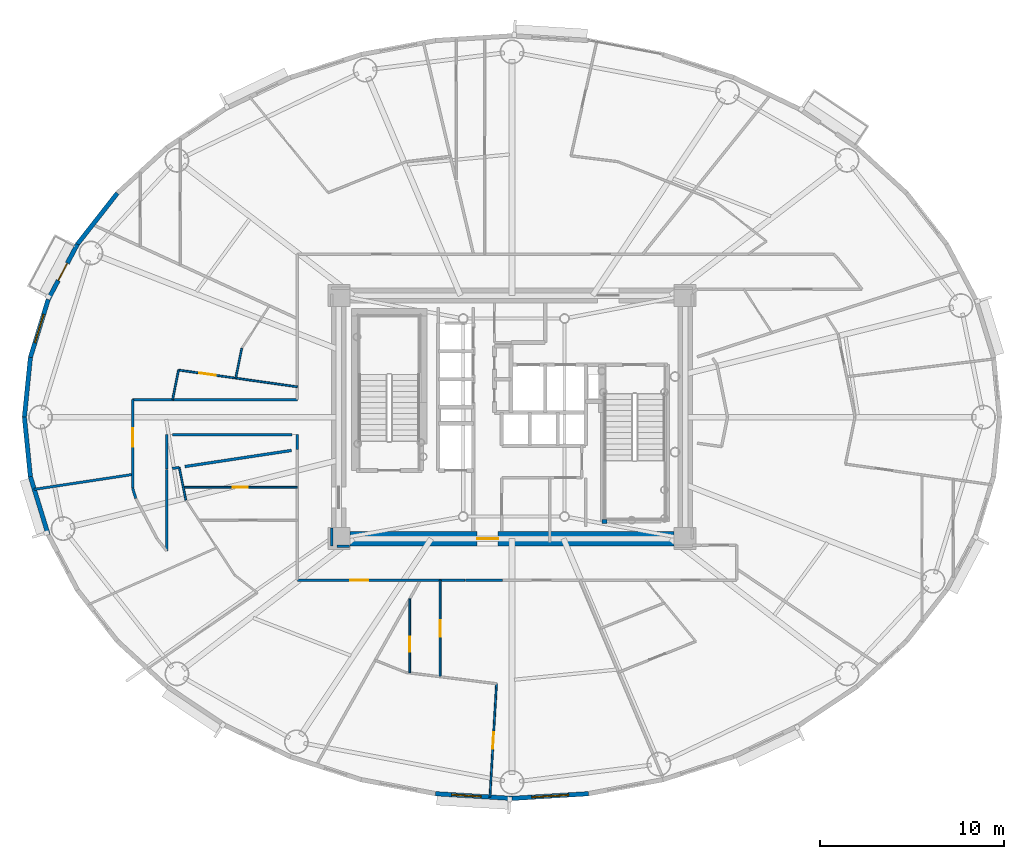
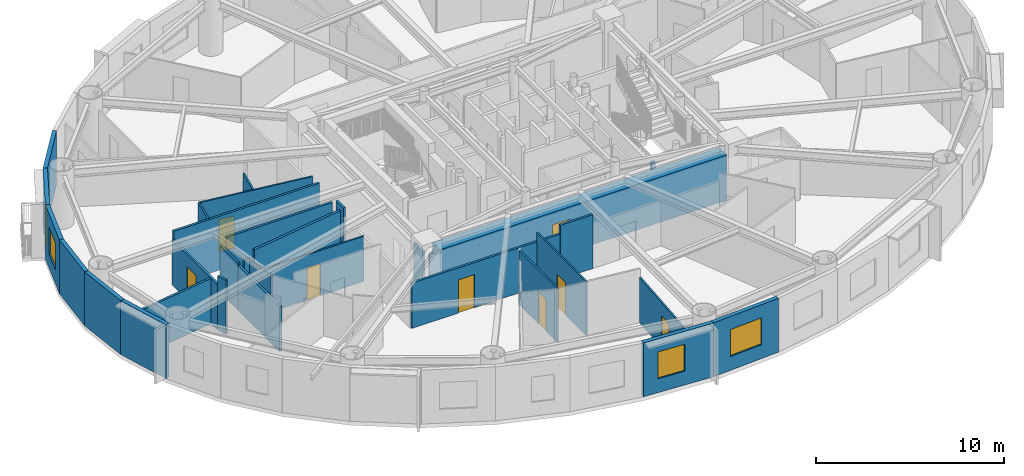
# One storey, part 8 of 20: 32 walls, 9 doors, 3 windows, 12 openings.
"""IFC4 building model written with IfcOpenShell, lengths in metres."""

import ifcopenshell
import ifcopenshell.guid

model = None  # the IFC model being written
_history = None  # IfcOwnerHistory: only IFC2X3 demands one
_inside = {}  # id of a spatial element -> (the spatial element, [elements in it])
_under = {}  # id of a project, library or spatial element -> (it, [spatial elements below it])
_declared = {}  # id of a project -> (the project, [libraries it declares])
_typed = {}  # id of a type object -> (the type object, [elements of that type])
_made_of = {}  # id of a material, layer set ... -> (it, [elements and type objects made of it])


def new_model(schema):
    """Start an empty IFC model of exactly this schema.

    Asked for "IFC4X3", IfcOpenShell would pick the latest addendum, in which some entities
    have other attributes; the version numbers below select the first issue.
    IFC2X3 requires an IfcOwnerHistory on every rooted entity: one is made here for all.
    """
    global model, _history
    if schema == "IFC4X3":
        model = ifcopenshell.file(schema_version=(4, 3, 0, 0))
    else:
        model = ifcopenshell.file(schema=schema)
    _inside.clear()
    _under.clear()
    _declared.clear()
    _typed.clear()
    _made_of.clear()
    _history = None
    if model.schema == "IFC2X3":
        org = make("IfcOrganization", Name="unknown")
        user = make(
            "IfcPersonAndOrganization",
            ThePerson=make("IfcPerson", FamilyName="unknown"),
            TheOrganization=org,
        )
        app = make(
            "IfcApplication",
            ApplicationDeveloper=org,
            Version="unknown",
            ApplicationFullName="unknown",
            ApplicationIdentifier="unknown",
        )
        _history = make(
            "IfcOwnerHistory",
            OwningUser=user,
            OwningApplication=app,
            ChangeAction="ADDED",
            CreationDate=0,
        )
    return model


def make(cls, **values):
    """One entity of the class cls with the attributes given. An attribute that is None is left unset."""
    return model.create_entity(
        cls, **{name: value for name, value in values.items() if value is not None}
    )


def rooted(cls, **values):
    """An entity with a GlobalId (a new one), such as an element, a storey or a relation."""
    return make(cls, GlobalId=ifcopenshell.guid.new(), OwnerHistory=_history, **values)


def si_unit(unit_type, name, prefix=None):
    """IfcSIUnit, for example si_unit("LENGTHUNIT", "METRE", prefix="MILLI")."""
    return make("IfcSIUnit", UnitType=unit_type, Prefix=prefix, Name=name)


def assignment(units):
    """IfcUnitAssignment: the units of a project."""
    return None if units is None else make("IfcUnitAssignment", Units=units)


def point(xyz):
    """IfcCartesianPoint."""
    return None if xyz is None else make("IfcCartesianPoint", Coordinates=xyz)


def direction(xyz):
    """IfcDirection."""
    return None if xyz is None else make("IfcDirection", DirectionRatios=xyz)


def frame(location, z_axis=None, x_axis=None):
    """IfcAxis2Placement3D, a coordinate frame: its origin and axes. An axis left out is left unset."""
    return make(
        "IfcAxis2Placement3D",
        Location=point(location),
        Axis=direction(z_axis),
        RefDirection=direction(x_axis),
    )


def frame_2d(location, x_axis=None):
    """IfcAxis2Placement2D, a coordinate frame in the plane: its origin and x axis."""
    return make(
        "IfcAxis2Placement2D", Location=point(location), RefDirection=direction(x_axis)
    )


def origin():
    """The frame at (0, 0, 0) with its axes left unset."""
    return frame((0.0, 0.0, 0.0))


def origin_2d():
    """The frame at (0, 0) in the plane with its x axis left unset."""
    return frame_2d((0.0, 0.0))


def place(relative_to, where):
    """IfcLocalPlacement: puts the frame where relative to a parent placement (None: the world)."""
    return make(
        "IfcLocalPlacement", PlacementRelTo=relative_to, RelativePlacement=where
    )


def context(
    kind, dimensions, precision=None, world=None, true_north=None, identifier=None
):
    """IfcGeometricRepresentationContext, for example the 3D "Model" context."""
    return make(
        "IfcGeometricRepresentationContext",
        ContextIdentifier=identifier,
        ContextType=kind,
        CoordinateSpaceDimension=dimensions,
        Precision=precision,
        WorldCoordinateSystem=world,
        TrueNorth=true_north,
    )


def subcontext(parent, identifier, kind, view, scale=None):
    """IfcGeometricRepresentationSubContext, for example "Body" below "Model"."""
    return make(
        "IfcGeometricRepresentationSubContext",
        ContextIdentifier=identifier,
        ContextType=kind,
        ParentContext=parent,
        TargetScale=scale,
        TargetView=view,
    )


def project(units=None, contexts=None):
    """IfcProject with its units and contexts."""
    return rooted(
        "IfcProject",
        Name="project",
        RepresentationContexts=contexts,
        UnitsInContext=assignment(units),
    )


def spatial(cls, under=None, at=None, **own):
    """A site, building, storey or space (cls), placed at a placement, below another one or the project."""
    s = rooted(cls, ObjectPlacement=at, **own)
    if under is not None:
        _under.setdefault(under.id(), (under, []))[1].append(s)
    return s


def profile(cls, at=None, kind="AREA", **sizes):
    """A parametric profile (cls). Its sizes go by their IFC names, for example OverallWidth=200.0."""
    return make(cls, ProfileType=kind, Position=at, **sizes)


def rectangle(**sizes):
    """IfcRectangleProfileDef."""
    return profile("IfcRectangleProfileDef", **sizes)


def extrude(swept, where, along, depth):
    """IfcExtrudedAreaSolid: the profile swept, set in the frame where, extruded along a direction by depth."""
    return make(
        "IfcExtrudedAreaSolid",
        SweptArea=swept,
        Position=where,
        ExtrudedDirection=direction(along),
        Depth=depth,
    )


def shape(context_of_items, identifier, shape_type, items):
    """IfcShapeRepresentation: the items that make up one representation, for example the "Body"."""
    return make(
        "IfcShapeRepresentation",
        ContextOfItems=context_of_items,
        RepresentationIdentifier=identifier,
        RepresentationType=shape_type,
        Items=items,
    )


def source(mapping_origin, context_of_items, identifier, shape_type, items):
    """IfcRepresentationMap: a shape defined once, which mapped items show again and again."""
    return make(
        "IfcRepresentationMap",
        MappingOrigin=mapping_origin,
        MappedRepresentation=shape(context_of_items, identifier, shape_type, items),
    )


def transform(
    local_origin,
    x_axis=None,
    y_axis=None,
    z_axis=None,
    scale=None,
    scale2=None,
    scale3=None,
    uniform=True,
):
    """IfcCartesianTransformationOperator3D, or its non-uniform kind. x_axis, y_axis, z_axis: its Axis1, 2, 3."""
    if uniform:
        return make(
            "IfcCartesianTransformationOperator3D",
            Axis1=direction(x_axis),
            Axis2=direction(y_axis),
            LocalOrigin=point(local_origin),
            Scale=scale,
            Axis3=direction(z_axis),
        )
    return make(
        "IfcCartesianTransformationOperator3DnonUniform",
        Axis1=direction(x_axis),
        Axis2=direction(y_axis),
        LocalOrigin=point(local_origin),
        Scale=scale,
        Axis3=direction(z_axis),
        Scale2=scale2,
        Scale3=scale3,
    )


def mapped(mapping_source, mapping_target):
    """IfcMappedItem: shows the shape of a source again, moved by a transform."""
    return make(
        "IfcMappedItem", MappingSource=mapping_source, MappingTarget=mapping_target
    )


def material(Name=None, Category=None):
    """IfcMaterial."""
    return make("IfcMaterial", Name=Name, Category=Category)


def layer(
    of_material, thickness, ventilated=None, Name=None, Category=None, Priority=None
):
    """IfcMaterialLayer: one layer of a wall or slab, of a material (None: an air gap)."""
    return make(
        "IfcMaterialLayer",
        Material=of_material,
        LayerThickness=thickness,
        IsVentilated=ventilated,
        Name=Name,
        Category=Category,
        Priority=Priority,
    )


def layer_set(layers, Name=None):
    """IfcMaterialLayerSet."""
    return make("IfcMaterialLayerSet", MaterialLayers=layers, LayerSetName=Name)


def made_of(thing, what):
    """Note that an element or type object is made of a material, layer set ...; save() writes the relation."""
    if what is not None:
        _made_of.setdefault(what.id(), (what, []))[1].append(thing)
    return thing


def type_object(cls, material=None, **own):
    """A type object (cls), such as IfcWallType, which elements share."""
    return made_of(rooted(cls, **own), material)


def element(
    cls,
    number,
    at=None,
    inside=None,
    cuts=None,
    type_object=None,
    material=None,
    context=None,
    identifier="Body",
    shape_type=None,
    held_by="IfcProductDefinitionShape",
    body=None,
    shapes=None,
    **own,
):
    """One element of the class cls, such as IfcWall. Its Tag is "e" and its number.

    at: its placement. inside: the storey or other place that contains it. cuts: it is an
    opening in that element (IfcRelVoidsElement). A single representation is given by context,
    identifier, shape_type and body (its items); several are given by shapes. held_by: the class
    of the entity that holds the representations. save() writes the other relations.
    """
    e = rooted(cls, Tag="e%d" % number, ObjectPlacement=at, **own)
    if body is not None:
        shapes = [shape(context, identifier, shape_type, body)]
    if shapes is not None:
        e.Representation = make(held_by, Representations=shapes)
    if inside is not None:
        _inside.setdefault(inside.id(), (inside, []))[1].append(e)
    if cuts is not None:
        rooted(
            "IfcRelVoidsElement", RelatingBuildingElement=cuts, RelatedOpeningElement=e
        )
    if type_object is not None:
        _typed.setdefault(type_object.id(), (type_object, []))[1].append(e)
    return made_of(e, material)


def fill(opening, filler):
    """IfcRelFillsElement: the door or window that sits in an opening."""
    return rooted(
        "IfcRelFillsElement",
        RelatingOpeningElement=opening,
        RelatedBuildingElement=filler,
    )


def aggregate(whole, parts):
    """IfcRelAggregates: a whole, such as a stair, and the parts it consists of."""
    return rooted("IfcRelAggregates", RelatingObject=whole, RelatedObjects=parts)


def save(model, path):
    """Write the relations noted so far, then the file.

    IfcRelAggregates (storeys below a building ...), IfcRelContainedInSpatialStructure (elements
    in a storey), IfcRelDefinesByType, IfcRelAssociatesMaterial and IfcRelDeclares: one each for
    every whole, place, type object, material and project.
    """
    for whole, parts in _under.values():
        aggregate(whole, parts)
    for where, things in _inside.values():
        rooted(
            "IfcRelContainedInSpatialStructure",
            RelatedElements=things,
            RelatingStructure=where,
        )
    for kind, things in _typed.values():
        rooted("IfcRelDefinesByType", RelatedObjects=things, RelatingType=kind)
    for what, things in _made_of.values():
        rooted("IfcRelAssociatesMaterial", RelatedObjects=things, RelatingMaterial=what)
    for by, libraries in _declared.values():
        rooted("IfcRelDeclares", RelatingContext=by, RelatedDefinitions=libraries)
    model.write(path)


model = new_model("IFC4")

# Units and contexts
model_context = context("Model", 3, precision=1e-05, world=origin(), true_north=direction((0.0, 1.0)))
body_context = subcontext(model_context, "Body", "Model", "MODEL_VIEW")
ifc_project = project(units=[si_unit("LENGTHUNIT", "METRE"), si_unit("AREAUNIT", "SQUARE_METRE"), si_unit("VOLUMEUNIT", "CUBIC_METRE"), si_unit("PLANEANGLEUNIT", "RADIAN"), si_unit("MASSUNIT", "GRAM", prefix="KILO")], contexts=[model_context])

# Site, building, storey
site_placement = place(None, origin())
site = spatial("IfcSite", under=ifc_project, at=site_placement, CompositionType="ELEMENT")
building_placement = place(site_placement, origin())
building = spatial("IfcBuilding", under=site, at=building_placement, Name="Linh Dai School and Residence Tower", CompositionType="ELEMENT")
storey_placement = place(building_placement, frame((0.0, 0.0, 163.64990234375)))
storey = spatial("IfcBuildingStorey", under=building, at=storey_placement, Name="L39", CompositionType="ELEMENT", Elevation=163.64990234375)

# Wall
ifc_material_1 = material(Name="Precast Concrete B45 (C35/45)", Category="concrete")
ifc_layer_1 = layer(ifc_material_1, 0.239990234375)
ifc_layer_set_1 = layer_set([ifc_layer_1], Name="Precast Concrete B45 (C35/45)")
wall_type_1 = type_object("IfcWallType", Name="EW-TC-240", PredefinedType="SOLIDWALL", material=ifc_layer_set_1)
wall_1_placement = place(storey_placement, frame((12.404052734375, 36.388427734375, 0.0), z_axis=(0.0, 0.0, 1.0), x_axis=(0.616287674549, 0.787521112224, 0.0)))
element("IfcWall", 1, at=wall_1_placement, inside=storey, type_object=wall_type_1, Name="L39 Terracotta Exterior Wall 17", PredefinedType="SOLIDWALL", context=body_context, shape_type="SweptSolid", body=[
    extrude(rectangle(XDim=3.517333984375, YDim=0.239990234375, at=frame_2d((1.7587890625, 0.0))), origin(), (0.0, 0.0, 1.0), 3.5),
])

# Wall, opening, door
wall_2_placement = place(storey_placement, frame((10.8173828125, 33.388916015625, 0.0), z_axis=(0.0, 0.0, 1.0), x_axis=(0.467586874938, 0.88394712194, 0.0)))
wall_2 = element("IfcWall", 2, at=wall_2_placement, inside=storey, type_object=wall_type_1, Name="L39 Terracotta Exterior Wall 18", PredefinedType="SOLIDWALL", context=body_context, shape_type="SweptSolid", body=[
    extrude(rectangle(XDim=3.393310546875, YDim=0.239990234375, at=frame_2d((1.69677734375, 0.0))), origin(), (0.0, 0.0, 1.0), 3.5),
])
opening_1_placement = place(wall_2_placement, frame((1.171630859375, 0.0, 0.0)))
opening_1 = element("IfcOpeningElement", 3, at=opening_1_placement, cuts=wall_2, Name="Opening BD1", PredefinedType="OPENING", context=body_context, shape_type="SweptSolid", body=[
    extrude(rectangle(XDim=1.050048828125, YDim=2.14990234375, at=origin_2d()), frame((0.52490234375, 0.1298828125, 1.074951171875), z_axis=(0.0, -1.0, 0.0), x_axis=(1.0, 0.0, 0.0)), (0.0, 0.0, 1.0), 0.260009765625),
])
ifc_material_2 = material(Name="Double-Glazed Balcony Door", Category="glass")
door_type_1 = type_object("IfcDoorType", Name="DR-BALC-1050x2150", OperationType="NOTDEFINED", PredefinedType="DOOR", material=ifc_material_2)
shared_shape_1 = source(origin(), body_context, "Body", "SweptSolid", [
    extrude(rectangle(XDim=1.050048828125, YDim=2.14990234375, at=origin_2d()), frame((0.52490234375, 0.02490234375, 1.074951171875), z_axis=(0.0, -1.0, 0.0), x_axis=(1.0, 0.0, 0.0)), (0.0, 0.0, 1.0), 0.050048828125),
])
door_1_placement = place(opening_1_placement, origin())
door_1 = element("IfcDoor", 4, at=door_1_placement, inside=storey, type_object=door_type_1, Name="L39 Glazed Balcony Door 18", OperationType="SINGLE_SWING_RIGHT", OverallHeight=2.14990234375, OverallWidth=1.050048828125, PredefinedType="DOOR", context=body_context, shape_type="MappedRepresentation", body=[
    mapped(shared_shape_1, transform((0.0, 0.0, 0.0), x_axis=(1.0, 0.0, 0.0), y_axis=(0.0, 1.0, 0.0), z_axis=(0.0, 0.0, 1.0), scale=1.0)),
])
fill(opening_1, door_1)

# Wall, opening, window
wall_3_placement = place(storey_placement, frame((9.85009765625, 30.233642578125, 0.0), z_axis=(0.0, 0.0, 1.0), x_axis=(0.293097995113, 0.956082405058, 0.0)))
wall_3 = element("IfcWall", 5, at=wall_3_placement, inside=storey, type_object=wall_type_1, Name="L39 Terracotta Exterior Wall 19", PredefinedType="SOLIDWALL", context=body_context, shape_type="SweptSolid", body=[
    extrude(rectangle(XDim=3.30029296875, YDim=0.239990234375, at=frame_2d((1.650146484375, 0.0))), origin(), (0.0, 0.0, 1.0), 3.5),
])
opening_2_placement = place(wall_3_placement, frame((0.85009765625, 0.0, 0.89990234375)))
opening_2 = element("IfcOpeningElement", 6, at=opening_2_placement, cuts=wall_3, Name="Opening W2", PredefinedType="OPENING", context=body_context, shape_type="SweptSolid", body=[
    extrude(rectangle(XDim=1.60009765625, YDim=1.75, at=origin_2d()), frame((0.800048828125, 0.1298828125, 0.875), z_axis=(0.0, -1.0, 0.0), x_axis=(1.0, 0.0, 0.0)), (0.0, 0.0, 1.0), 0.260009765625),
])
ifc_material_3 = material(Name="Double Low-E Insulated Glazing", Category="glass")
window_type_1 = type_object("IfcWindowType", Name="WN-RES-1600x1750", PartitioningType="DOUBLE_PANEL_VERTICAL", PredefinedType="WINDOW", material=ifc_material_3)
shared_shape_2 = source(origin(), body_context, "Body", "SweptSolid", [
    extrude(rectangle(XDim=1.60009765625, YDim=1.75, at=origin_2d()), frame((0.800048828125, 0.030029296875, 0.875), z_axis=(0.0, -1.0, 0.0), x_axis=(1.0, 0.0, 0.0)), (0.0, 0.0, 1.0), 0.06005859375),
])
window_1_placement = place(opening_2_placement, origin())
window_1 = element("IfcWindow", 7, at=window_1_placement, inside=storey, type_object=window_type_1, Name="L39 Exterior Window 19.1", OverallHeight=1.75, OverallWidth=1.60009765625, PartitioningType="DOUBLE_PANEL_VERTICAL", PredefinedType="WINDOW", context=body_context, shape_type="MappedRepresentation", body=[
    mapped(shared_shape_2, transform((0.0, 0.0, 0.0), x_axis=(1.0, 0.0, 0.0), y_axis=(0.0, 1.0, 0.0), z_axis=(0.0, 0.0, 1.0), scale=1.0)),
])
fill(opening_2, window_1)

# Walls
for number, where, z_axis, x_axis, name in (
    (8, (9.52490234375, 27.0, 0.0), (0.0, 0.0, 1.0), (0.100061534614, 0.994981250723, 0.0), "L39 Terracotta Exterior Wall 20"),
    (9, (9.85009765625, 23.766357421875, 0.0), (0.0, 0.0, 1.0), (-0.100061534614, 0.994981250723, 0.0), "L39 Terracotta Exterior Wall 21"),
):
    element("IfcWall", number, at=place(storey_placement, frame(where, z_axis=z_axis, x_axis=x_axis)), inside=storey, type_object=wall_type_1, Name=name, PredefinedType="SOLIDWALL", context=body_context, shape_type="SweptSolid", body=[
        extrude(rectangle(XDim=3.25, YDim=0.239990234375, at=frame_2d((1.625, 0.0))), origin(), (0.0, 0.0, 1.0), 3.5),
    ])
wall_4_placement = place(storey_placement, frame((10.8173828125, 20.611083984375, 0.0), z_axis=(0.0, 0.0, 1.0), x_axis=(-0.293097995113, 0.956082405058, 0.0)))
element("IfcWall", 10, at=wall_4_placement, inside=storey, type_object=wall_type_1, Name="L39 Terracotta Exterior Wall 22", PredefinedType="SOLIDWALL", context=body_context, shape_type="SweptSolid", body=[
    extrude(rectangle(XDim=3.30029296875, YDim=0.239990234375, at=frame_2d((1.650146484375, 0.0))), origin(), (0.0, 0.0, 1.0), 3.5),
])

# Wall, opening, window
wall_5_placement = place(storey_placement, frame((36.0, 6.294921875, 0.0), z_axis=(0.0, 0.0, 1.0), x_axis=(-0.998104600619, 0.061540281305, 0.0)))
wall_5 = element("IfcWall", 11, at=wall_5_placement, inside=storey, type_object=wall_type_1, Name="L39 Terracotta Exterior Wall 30", PredefinedType="SOLIDWALL", context=body_context, shape_type="SweptSolid", body=[
    extrude(rectangle(XDim=4.153564453125, YDim=0.239990234375, at=frame_2d((2.07666015625, 0.0))), origin(), (0.0, 0.0, 1.0), 3.5),
])
opening_3_placement = place(wall_5_placement, frame((1.68359375, 0.0, 0.89990234375)))
opening_3 = element("IfcOpeningElement", 12, at=opening_3_placement, cuts=wall_5, Name="Opening W2", PredefinedType="OPENING", context=body_context, shape_type="SweptSolid", body=[
    extrude(rectangle(XDim=1.60009765625, YDim=1.75, at=origin_2d()), frame((0.800048828125, 0.1298828125, 0.875), z_axis=(0.0, -1.0, 0.0), x_axis=(1.0, 0.0, 0.0)), (0.0, 0.0, 1.0), 0.260009765625),
])
window_2_placement = place(opening_3_placement, origin())
window_2 = element("IfcWindow", 13, at=window_2_placement, inside=storey, type_object=window_type_1, Name="L39 Exterior Window 30.1", OverallHeight=1.75, OverallWidth=1.60009765625, PartitioningType="DOUBLE_PANEL_VERTICAL", PredefinedType="WINDOW", context=body_context, shape_type="MappedRepresentation", body=[
    mapped(shared_shape_2, transform((0.0, 0.0, 0.0), x_axis=(1.0, 0.0, 0.0), y_axis=(0.0, 1.0, 0.0), z_axis=(0.0, 0.0, 1.0), scale=1.0)),
])
fill(opening_3, window_2)

wall_6_placement = place(storey_placement, frame((40.145751953125, 6.550537109375, 0.0), z_axis=(0.0, 0.0, 1.0), x_axis=(-0.998104600619, -0.061540281305, 0.0)))
wall_6 = element("IfcWall", 14, at=wall_6_placement, inside=storey, type_object=wall_type_1, Name="L39 Terracotta Exterior Wall 31", PredefinedType="SOLIDWALL", context=body_context, shape_type="SweptSolid", body=[
    extrude(rectangle(XDim=4.153564453125, YDim=0.239990234375, at=frame_2d((2.07666015625, 0.0))), origin(), (0.0, 0.0, 1.0), 3.5),
])
opening_4_placement = place(wall_6_placement, frame((1.076904296875, 0.0, 0.89990234375)))
opening_4 = element("IfcOpeningElement", 15, at=opening_4_placement, cuts=wall_6, Name="Opening W1", PredefinedType="OPENING", context=body_context, shape_type="SweptSolid", body=[
    extrude(rectangle(XDim=2.0, YDim=1.75, at=origin_2d()), frame((1.0, 0.1298828125, 0.875), z_axis=(0.0, -1.0, 0.0), x_axis=(1.0, 0.0, 0.0)), (0.0, 0.0, 1.0), 0.260009765625),
])
window_type_2 = type_object("IfcWindowType", Name="WN-RES-2000x1750", PartitioningType="DOUBLE_PANEL_VERTICAL", PredefinedType="WINDOW", material=ifc_material_3)
shared_shape_3 = source(origin(), body_context, "Body", "SweptSolid", [
    extrude(rectangle(XDim=2.0, YDim=1.75, at=origin_2d()), frame((1.0, 0.030029296875, 0.875), z_axis=(0.0, -1.0, 0.0), x_axis=(1.0, 0.0, 0.0)), (0.0, 0.0, 1.0), 0.06005859375),
])
window_3_placement = place(opening_4_placement, origin())
window_3 = element("IfcWindow", 16, at=window_3_placement, inside=storey, type_object=window_type_2, Name="L39 Exterior Window 31.1", OverallHeight=1.75, OverallWidth=2.0, PartitioningType="DOUBLE_PANEL_VERTICAL", PredefinedType="WINDOW", context=body_context, shape_type="MappedRepresentation", body=[
    mapped(shared_shape_3, transform((0.0, 0.0, 0.0), x_axis=(1.0, 0.0, 0.0), y_axis=(0.0, 1.0, 0.0), z_axis=(0.0, 0.0, 1.0), scale=1.0)),
])
fill(opening_4, window_3)

# Wall
ifc_material_4 = material(Name="Autoclaved Aerated Concrete Blockwork", Category="masonry")
ifc_layer_2 = layer(ifc_material_4, 0.135009765625)
ifc_layer_set_2 = layer_set([ifc_layer_2], Name="Autoclaved Aerated Concrete Blockwork")
wall_type_2 = type_object("IfcWallType", Name="IW-CORR-135-EI90", PredefinedType="PARTITIONING", material=ifc_layer_set_2)
wall_7_placement = place(storey_placement, frame((10.056640625, 23.075439453125, 0.0), z_axis=(0.0, 0.0, 1.0), x_axis=(0.988756022356, 0.14953771516, 0.0)))
element("IfcWall", 17, at=wall_7_placement, inside=storey, type_object=wall_type_2, Name="L39 Interior Partition Wall 001", PredefinedType="PARTITIONING", context=body_context, shape_type="SweptSolid", body=[
    extrude(rectangle(XDim=5.404052734375, YDim=0.135009765625, at=frame_2d((2.7021484375, 0.0))), origin(), (0.0, 0.0, 1.0), 2.93505859375),
])

# Wall, opening, door
wall_8_placement = place(storey_placement, frame((15.39990234375, 23.14599609375, 0.0), z_axis=(0.0, 0.0, 1.0), x_axis=(0.0, 1.0, 0.0)))
wall_8 = element("IfcWall", 18, at=wall_8_placement, inside=storey, type_object=wall_type_2, Name="L39 Interior Partition Wall 004", PredefinedType="PARTITIONING", context=body_context, shape_type="SweptSolid", body=[
    extrude(rectangle(XDim=4.803955078125, YDim=0.135009765625, at=frame_2d((2.40185546875, 0.0))), origin(), (0.0, 0.0, 1.0), 2.93505859375),
])
opening_5_placement = place(wall_8_placement, frame((2.250732421875, 0.0, 0.0)))
opening_5 = element("IfcOpeningElement", 19, at=opening_5_placement, cuts=wall_8, Name="Opening D03", PredefinedType="OPENING", context=body_context, shape_type="SweptSolid", body=[
    extrude(rectangle(XDim=1.0, YDim=2.14990234375, at=origin_2d()), frame((0.5, 0.07763671875, 1.074951171875), z_axis=(0.0, -1.0, 0.0), x_axis=(1.0, 0.0, 0.0)), (0.0, 0.0, 1.0), 0.155029296875),
])
ifc_material_5 = material(Name="Fire-Rated Solid Timber Entrance Door", Category="wood")
door_type_2 = type_object("IfcDoorType", Name="DR-FLAT-1000x2150-FD60S", OperationType="NOTDEFINED", PredefinedType="DOOR", material=ifc_material_5)
shared_shape_4 = source(origin(), body_context, "Body", "SweptSolid", [
    extrude(rectangle(XDim=1.0, YDim=2.14990234375, at=origin_2d()), frame((0.5, 0.02490234375, 1.074951171875), z_axis=(0.0, -1.0, 0.0), x_axis=(1.0, 0.0, 0.0)), (0.0, 0.0, 1.0), 0.050048828125),
])
door_2_placement = place(opening_5_placement, origin())
door_2 = element("IfcDoor", 20, at=door_2_placement, inside=storey, type_object=door_type_2, Name="L39 U3904 Apartment Entrance Door", OperationType="SINGLE_SWING_LEFT", OverallHeight=2.14990234375, OverallWidth=1.0, PredefinedType="DOOR", context=body_context, shape_type="MappedRepresentation", body=[
    mapped(shared_shape_4, transform((0.0, 0.0, 0.0), x_axis=(1.0, 0.0, 0.0), y_axis=(0.0, 1.0, 0.0), z_axis=(0.0, 0.0, 1.0), scale=1.0)),
])
fill(opening_5, door_2)

# Walls
wall_9_placement = place(storey_placement, frame((15.39990234375, 23.14599609375, 0.0), z_axis=(0.0, 0.0, 1.0), x_axis=(0.293335154151, -0.956009669061, 0.0)))
element("IfcWall", 21, at=wall_9_placement, inside=storey, type_object=wall_type_2, Name="L39 Interior Partition Wall 005", PredefinedType="PARTITIONING", context=body_context, shape_type="SweptSolid", body=[
    extrude(rectangle(XDim=0.59423828125, YDim=0.135009765625, at=frame_2d((0.297119140625, 0.0))), origin(), (0.0, 0.0, 1.0), 3.5),
])
wall_10_placement = place(storey_placement, frame((15.39990234375, 27.949951171875, 0.0), z_axis=(0.0, 0.0, 1.0), x_axis=(1.0, 0.0, 0.0)))
element("IfcWall", 22, at=wall_10_placement, inside=storey, type_object=wall_type_2, Name="L39 Interior Partition Wall 006", PredefinedType="PARTITIONING", context=body_context, shape_type="SweptSolid", body=[
    extrude(rectangle(XDim=8.9501953125, YDim=0.135009765625, at=frame_2d((4.47509765625, 0.0))), origin(), (0.0, 0.0, 1.0), 3.5),
])
wall_11_placement = place(storey_placement, frame((17.25, 19.734375, 0.0), z_axis=(0.0, 0.0, 1.0), x_axis=(0.0, 1.0, 0.0)))
element("IfcWall", 23, at=wall_11_placement, inside=storey, type_object=wall_type_2, Name="L39 Interior Partition Wall 011", PredefinedType="PARTITIONING", context=body_context, shape_type="SweptSolid", body=[
    extrude(rectangle(XDim=4.42919921875, YDim=0.135009765625, at=frame_2d((2.214599609375, 0.0))), origin(), (0.0, 0.0, 1.0), 2.93505859375),
])

# Wall, opening, door
wall_12_placement = place(storey_placement, frame((24.35009765625, 18.14990234375, 0.0), z_axis=(0.0, 0.0, 1.0), x_axis=(1.0, 0.0, 0.0)))
wall_12 = element("IfcWall", 24, at=wall_12_placement, inside=storey, type_object=wall_type_2, Name="L39 Interior Partition Wall 024", PredefinedType="PARTITIONING", context=body_context, shape_type="SweptSolid", body=[
    extrude(rectangle(XDim=9.108642578125, YDim=0.135009765625, at=frame_2d((4.55419921875, 0.0))), origin(), (0.0, 0.0, 1.0), 2.93505859375),
])
opening_6_placement = place(wall_12_placement, frame((2.856689453125, 0.0, 0.0)))
opening_6 = element("IfcOpeningElement", 25, at=opening_6_placement, cuts=wall_12, Name="Opening D03", PredefinedType="OPENING", context=body_context, shape_type="SweptSolid", body=[
    extrude(rectangle(XDim=1.0, YDim=2.14990234375, at=origin_2d()), frame((0.5, 0.07763671875, 1.074951171875), z_axis=(0.0, -1.0, 0.0), x_axis=(1.0, 0.0, 0.0)), (0.0, 0.0, 1.0), 0.155029296875),
])
door_3_placement = place(opening_6_placement, origin())
door_3 = element("IfcDoor", 26, at=door_3_placement, inside=storey, type_object=door_type_2, Name="L39 U3905 Apartment Entrance Door", OperationType="SINGLE_SWING_RIGHT", OverallHeight=2.14990234375, OverallWidth=1.0, PredefinedType="DOOR", context=body_context, shape_type="MappedRepresentation", body=[
    mapped(shared_shape_4, transform((0.0, 0.0, 0.0), x_axis=(1.0, 0.0, 0.0), y_axis=(0.0, 1.0, 0.0), z_axis=(0.0, 0.0, 1.0), scale=1.0)),
])
fill(opening_6, door_3)

# Walls
wall_13_placement = place(storey_placement, frame((17.25, 26.050048828125, 0.0), z_axis=(0.0, 0.0, 1.0), x_axis=(0.0, -1.0, 0.0)))
element("IfcWall", 27, at=wall_13_placement, inside=storey, type_object=wall_type_2, Name="L39 Interior Partition Wall 103", PredefinedType="PARTITIONING", context=body_context, shape_type="SweptSolid", body=[
    extrude(rectangle(XDim=1.87646484375, YDim=0.135009765625, at=frame_2d((0.938232421875, 0.0))), origin(), (0.0, 0.0, 1.0), 3.085205078125),
])
wall_14_placement = place(storey_placement, frame((26.199951171875, 20.989990234375, 0.0), z_axis=(0.0, 0.0, 1.0), x_axis=(0.0, -1.0, 0.0)))
element("IfcWall", 28, at=wall_14_placement, inside=storey, type_object=wall_type_2, Name="L39 Interior Partition Wall 107", PredefinedType="PARTITIONING", context=body_context, shape_type="SweptSolid", body=[
    extrude(rectangle(XDim=0.989990234375, YDim=0.135009765625, at=frame_2d((0.4951171875, 0.0))), origin(), (0.0, 0.0, 1.0), 3.18505859375),
])
wall_15_placement = place(storey_placement, frame((26.507568359375, 20.0, 0.0), z_axis=(0.0, 0.0, 1.0), x_axis=(1.0, 0.0, 0.0)))
element("IfcWall", 29, at=wall_15_placement, inside=storey, type_object=wall_type_2, Name="L39 Interior Partition Wall 108", PredefinedType="PARTITIONING", context=body_context, shape_type="SweptSolid", body=[
    extrude(rectangle(XDim=0.682373046875, YDim=0.135009765625, at=frame_2d((0.34130859375, 0.0))), origin(), (0.0, 0.0, 1.0), 2.93505859375),
])
wall_16_placement = place(storey_placement, frame((35.475830078125, 18.14990234375, 0.0), z_axis=(0.0, 0.0, 1.0), x_axis=(-1.0, 0.0, 0.0)))
element("IfcWall", 30, at=wall_16_placement, inside=storey, type_object=wall_type_2, Name="L39 Interior Partition Wall 111", PredefinedType="PARTITIONING", context=body_context, shape_type="SweptSolid", body=[
    extrude(rectangle(XDim=2.007080078125, YDim=0.135009765625, at=frame_2d((1.00341796875, 0.0))), origin(), (0.0, 0.0, 1.0), 3.5),
])
wall_17_placement = place(storey_placement, frame((24.35009765625, 25.24755859375, 0.0), z_axis=(0.0, 0.0, 1.0), x_axis=(0.0, 1.0, 0.0)))
element("IfcWall", 31, at=wall_17_placement, inside=storey, type_object=wall_type_2, Name="L39 Interior Partition Wall 112", PredefinedType="PARTITIONING", context=body_context, shape_type="SweptSolid", body=[
    extrude(rectangle(XDim=0.802490234375, YDim=0.135009765625, at=frame_2d((0.4013671875, 0.0))), origin(), (0.0, 0.0, 1.0), 3.5),
])
wall_18_placement = place(storey_placement, frame((24.04248046875, 26.050048828125, 0.0), z_axis=(0.0, 0.0, 1.0), x_axis=(-1.0, 0.0, 0.0)))
element("IfcWall", 32, at=wall_18_placement, inside=storey, type_object=wall_type_2, Name="L39 Interior Partition Wall 113", PredefinedType="PARTITIONING", context=body_context, shape_type="SweptSolid", body=[
    extrude(rectangle(XDim=6.48486328125, YDim=0.135009765625, at=frame_2d((3.242431640625, 0.0))), origin(), (0.0, 0.0, 1.0), 3.5),
])
wall_19_placement = place(storey_placement, frame((17.5576171875, 24.2099609375, 0.0), z_axis=(0.0, 0.0, 1.0), x_axis=(0.988703952477, 0.149881601124, 0.0)))
element("IfcWall", 33, at=wall_19_placement, inside=storey, type_object=wall_type_2, Name="L39 Interior Partition Wall 117", PredefinedType="PARTITIONING", context=body_context, shape_type="SweptSolid", body=[
    extrude(rectangle(XDim=0.379638671875, YDim=0.135009765625, at=frame_2d((0.18994140625, 0.0))), origin(), (0.0, 0.0, 1.0), 3.085205078125),
])
ifc_layer_3 = layer(ifc_material_4, 0.14990234375)
ifc_layer_set_3 = layer_set([ifc_layer_3], Name="Autoclaved Aerated Concrete Blockwork")
wall_type_3 = type_object("IfcWallType", Name="IW-SCH-150-EI60", PredefinedType="PARTITIONING", material=ifc_layer_set_3)
wall_20_placement = place(storey_placement, frame((18.23974609375, 24.313232421875, 0.0), z_axis=(0.0, 0.0, 1.0), x_axis=(0.988751262043, 0.149569187364, 0.0)))
element("IfcWall", 34, at=wall_20_placement, inside=storey, type_object=wall_type_3, Name="L39 Interior Partition Wall 118", PredefinedType="PARTITIONING", context=body_context, shape_type="SweptSolid", body=[
    extrude(rectangle(XDim=5.848388671875, YDim=0.14990234375, at=frame_2d((2.92431640625, 0.0))), origin(), (0.0, 0.0, 1.0), 3.5),
])
ifc_material_6 = material(Name="Concrete B45 (C35/45)", Category="concrete")
ifc_layer_4 = layer(ifc_material_6, 0.199951171875)
ifc_layer_set_4 = layer_set([ifc_layer_4], Name="Concrete B45 (C35/45)")
wall_type_4 = type_object("IfcWallType", Name="IW-SHAFT-200-EI120", PredefinedType="PARTITIONING", material=ifc_layer_set_4)
wall_21_placement = place(storey_placement, frame((40.89990234375, 21.330078125, 0.0), z_axis=(0.0, 0.0, 1.0), x_axis=(1.0, 0.0, 0.0)))
element("IfcWall", 35, at=wall_21_placement, inside=storey, type_object=wall_type_4, Name="L39 Interior Partition Wall 075", PredefinedType="PARTITIONING", context=body_context, shape_type="SweptSolid", body=[
    extrude(rectangle(XDim=0.25, YDim=0.199951171875, at=frame_2d((0.125, 0.0))), origin(), (0.0, 0.0, 1.0), 3.03515625),
])
ifc_material_7 = material(Name="Gypsum Plasterboard Acoustic Stud Partition", Category="masonry")
ifc_layer_5 = layer(ifc_material_7, 0.10009765625)
ifc_layer_set_5 = layer_set([ifc_layer_5], Name="Gypsum Plasterboard Acoustic Stud Partition")
wall_type_5 = type_object("IfcWallType", Name="IW-UNIT-100", PredefinedType="PARTITIONING", material=ifc_layer_set_5)
wall_22_placement = place(storey_placement, frame((17.572265625, 27.949951171875, 0.0), z_axis=(0.0, 0.0, 1.0), x_axis=(0.19821259699, 0.98015905158, 0.0)))
element("IfcWall", 36, at=wall_22_placement, inside=storey, type_object=wall_type_5, Name="L39 Interior Partition Wall 012", PredefinedType="PARTITIONING", context=body_context, shape_type="SweptSolid", body=[
    extrude(rectangle(XDim=1.634521484375, YDim=0.10009765625, at=frame_2d((0.8173828125, 0.0))), origin(), (0.0, 0.0, 1.0), 3.5),
])

# Wall, opening, door
wall_23_placement = place(storey_placement, frame((17.896240234375, 29.552001953125, 0.0), z_axis=(0.0, 0.0, 1.0), x_axis=(0.990212218954, -0.139569915938, 0.0)))
wall_23 = element("IfcWall", 37, at=wall_23_placement, inside=storey, type_object=wall_type_5, Name="L39 Interior Partition Wall 013", PredefinedType="PARTITIONING", context=body_context, shape_type="SweptSolid", body=[
    extrude(rectangle(XDim=6.517578125, YDim=0.10009765625, at=frame_2d((3.2587890625, 0.0))), origin(), (0.0, 0.0, 1.0), 3.5),
])
opening_7_placement = place(wall_23_placement, frame((1.13720703125, 0.0, 0.0)))
opening_7 = element("IfcOpeningElement", 38, at=opening_7_placement, cuts=wall_23, Name="Opening D05", PredefinedType="OPENING", context=body_context, shape_type="SweptSolid", body=[
    extrude(rectangle(XDim=0.89990234375, YDim=2.10009765625, at=origin_2d()), frame((0.449951171875, 0.06005859375, 1.050048828125), z_axis=(0.0, -1.0, 0.0), x_axis=(1.0, 0.0, 0.0)), (0.0, 0.0, 1.0), 0.1201171875),
])
ifc_material_8 = material(Name="Engineered Timber Internal Door", Category="wood")
door_type_3 = type_object("IfcDoorType", Name="DR-INT-900x2100", OperationType="NOTDEFINED", PredefinedType="DOOR", material=ifc_material_8)
shared_shape_5 = source(origin(), body_context, "Body", "SweptSolid", [
    extrude(rectangle(XDim=0.89990234375, YDim=2.10009765625, at=origin_2d()), frame((0.449951171875, 0.02490234375, 1.050048828125), z_axis=(0.0, -1.0, 0.0), x_axis=(1.0, 0.0, 0.0)), (0.0, 0.0, 1.0), 0.050048828125),
])
door_4_placement = place(opening_7_placement, origin())
door_4 = element("IfcDoor", 39, at=door_4_placement, inside=storey, type_object=door_type_3, Name="L39 Apartment U3904 Kitchen Door", OperationType="SINGLE_SWING_LEFT", OverallHeight=2.10009765625, OverallWidth=0.89990234375, PredefinedType="DOOR", context=body_context, shape_type="MappedRepresentation", body=[
    mapped(shared_shape_5, transform((0.0, 0.0, 0.0), x_axis=(1.0, 0.0, 0.0), y_axis=(0.0, 1.0, 0.0), z_axis=(0.0, 0.0, 1.0), scale=1.0)),
])
fill(opening_7, door_4)

# Wall
wall_24_placement = place(storey_placement, frame((17.932861328125, 24.266845703125, 0.0), z_axis=(0.0, 0.0, 1.0), x_axis=(0.198166528342, -0.980168366682, 0.0)))
element("IfcWall", 40, at=wall_24_placement, inside=storey, type_object=wall_type_5, Name="L39 Interior Partition Wall 014", PredefinedType="PARTITIONING", context=body_context, shape_type="SweptSolid", body=[
    extrude(rectangle(XDim=1.80859375, YDim=0.10009765625, at=frame_2d((0.904296875, 0.0))), origin(), (0.0, 0.0, 1.0), 2.93505859375),
])

# Wall, opening, door
wall_25_placement = place(storey_placement, frame((18.149658203125, 23.194580078125, 0.0), z_axis=(0.0, 0.0, 1.0), x_axis=(1.0, 0.0, 0.0)))
wall_25 = element("IfcWall", 41, at=wall_25_placement, inside=storey, type_object=wall_type_5, Name="L39 Interior Partition Wall 016", PredefinedType="PARTITIONING", context=body_context, shape_type="SweptSolid", body=[
    extrude(rectangle(XDim=6.200439453125, YDim=0.10009765625, at=frame_2d((3.10009765625, 0.0))), origin(), (0.0, 0.0, 1.0), 2.93505859375),
])
opening_8_placement = place(wall_25_placement, frame((2.690185546875, 0.0, 0.0)))
opening_8 = element("IfcOpeningElement", 42, at=opening_8_placement, cuts=wall_25, Name="Opening D06", PredefinedType="OPENING", context=body_context, shape_type="SweptSolid", body=[
    extrude(rectangle(XDim=0.820068359375, YDim=2.10009765625, at=origin_2d()), frame((0.41015625, 0.06005859375, 1.050048828125), z_axis=(0.0, -1.0, 0.0), x_axis=(1.0, 0.0, 0.0)), (0.0, 0.0, 1.0), 0.1201171875),
])
ifc_material_9 = material(Name="Moisture-Resistant Timber Bathroom Door", Category="wood")
door_type_4 = type_object("IfcDoorType", Name="DR-WET-820x2100", OperationType="NOTDEFINED", PredefinedType="DOOR", material=ifc_material_9)
shared_shape_6 = source(origin(), body_context, "Body", "SweptSolid", [
    extrude(rectangle(XDim=0.820068359375, YDim=2.10009765625, at=origin_2d()), frame((0.41015625, 0.02490234375, 1.050048828125), z_axis=(0.0, -1.0, 0.0), x_axis=(1.0, 0.0, 0.0)), (0.0, 0.0, 1.0), 0.050048828125),
])
door_5_placement = place(opening_8_placement, origin())
door_5 = element("IfcDoor", 43, at=door_5_placement, inside=storey, type_object=door_type_4, Name="L39 Apartment U3905 Bathroom 1 Door", OperationType="SINGLE_SWING_RIGHT", OverallHeight=2.10009765625, OverallWidth=0.820068359375, PredefinedType="DOOR", context=body_context, shape_type="MappedRepresentation", body=[
    mapped(shared_shape_6, transform((0.0, 0.0, 0.0), x_axis=(1.0, 0.0, 0.0), y_axis=(0.0, 1.0, 0.0), z_axis=(0.0, 0.0, 1.0), scale=1.0)),
])
fill(opening_8, door_5)

# Wall
wall_26_placement = place(storey_placement, frame((20.999755859375, 29.114501953125, 0.0), z_axis=(0.0, 0.0, 1.0), x_axis=(0.198219197437, 0.980157716782, 0.0)))
element("IfcWall", 44, at=wall_26_placement, inside=storey, type_object=wall_type_5, Name="L39 Interior Partition Wall 020", PredefinedType="PARTITIONING", context=body_context, shape_type="SweptSolid", body=[
    extrude(rectangle(XDim=1.651611328125, YDim=0.10009765625, at=frame_2d((0.82568359375, 0.0))), origin(), (0.0, 0.0, 1.0), 3.5),
])

# Wall, opening, door
wall_27_placement = place(storey_placement, frame((30.449462890625, 13.107421875, 0.0), z_axis=(0.0, 0.0, 1.0), x_axis=(0.0, 1.0, 0.0)))
wall_27 = element("IfcWall", 45, at=wall_27_placement, inside=storey, type_object=wall_type_5, Name="L39 Interior Partition Wall 033", PredefinedType="PARTITIONING", context=body_context, shape_type="SweptSolid", body=[
    extrude(rectangle(XDim=4.021728515625, YDim=0.10009765625, at=frame_2d((2.0107421875, 0.0))), origin(), (0.0, 0.0, 1.0), 3.5),
])
opening_9_placement = place(wall_27_placement, frame((1.156494140625, 0.0, 0.0)))
opening_9 = element("IfcOpeningElement", 46, at=opening_9_placement, cuts=wall_27, Name="Opening D06", PredefinedType="OPENING", context=body_context, shape_type="SweptSolid", body=[
    extrude(rectangle(XDim=0.820068359375, YDim=2.10009765625, at=origin_2d()), frame((0.41015625, 0.06005859375, 1.050048828125), z_axis=(0.0, -1.0, 0.0), x_axis=(1.0, 0.0, 0.0)), (0.0, 0.0, 1.0), 0.1201171875),
])
door_6_placement = place(opening_9_placement, origin())
door_6 = element("IfcDoor", 47, at=door_6_placement, inside=storey, type_object=door_type_4, Name="L39 Apartment U3906 Bathroom 1 Door", OperationType="SINGLE_SWING_RIGHT", OverallHeight=2.10009765625, OverallWidth=0.820068359375, PredefinedType="DOOR", context=body_context, shape_type="MappedRepresentation", body=[
    mapped(shared_shape_6, transform((0.0, 0.0, 0.0), x_axis=(1.0, 0.0, 0.0), y_axis=(0.0, 1.0, 0.0), z_axis=(0.0, 0.0, 1.0), scale=1.0)),
])
fill(opening_9, door_6)

wall_28_placement = place(storey_placement, frame((32.09765625, 12.903076171875, 0.0), z_axis=(0.0, 0.0, 1.0), x_axis=(0.0, 1.0, 0.0)))
wall_28 = element("IfcWall", 48, at=wall_28_placement, inside=storey, type_object=wall_type_5, Name="L39 Interior Partition Wall 042", PredefinedType="PARTITIONING", context=body_context, shape_type="SweptSolid", body=[
    extrude(rectangle(XDim=5.246826171875, YDim=0.10009765625, at=frame_2d((2.62353515625, 0.0))), origin(), (0.0, 0.0, 1.0), 3.5),
])
opening_10_placement = place(wall_28_placement, frame((2.173583984375, 0.0, 0.0)))
opening_10 = element("IfcOpeningElement", 49, at=opening_10_placement, cuts=wall_28, Name="Opening D05", PredefinedType="OPENING", context=body_context, shape_type="SweptSolid", body=[
    extrude(rectangle(XDim=0.89990234375, YDim=2.10009765625, at=origin_2d()), frame((0.449951171875, 0.06005859375, 1.050048828125), z_axis=(0.0, -1.0, 0.0), x_axis=(1.0, 0.0, 0.0)), (0.0, 0.0, 1.0), 0.1201171875),
])
door_7_placement = place(opening_10_placement, origin())
door_7 = element("IfcDoor", 50, at=door_7_placement, inside=storey, type_object=door_type_3, Name="L39 Apartment U3906 Kitchen Door", OperationType="SINGLE_SWING_LEFT", OverallHeight=2.10009765625, OverallWidth=0.89990234375, PredefinedType="DOOR", context=body_context, shape_type="MappedRepresentation", body=[
    mapped(shared_shape_5, transform((0.0, 0.0, 0.0), x_axis=(1.0, 0.0, 0.0), y_axis=(0.0, 1.0, 0.0), z_axis=(0.0, 0.0, 1.0), scale=1.0)),
])
fill(opening_10, door_7)

wall_29_placement = place(storey_placement, frame((34.801025390625, 6.36376953125, 0.0), z_axis=(0.0, 0.0, 1.0), x_axis=(0.058007588758, 0.998316142135, 0.0)))
wall_29 = element("IfcWall", 51, at=wall_29_placement, inside=storey, type_object=wall_type_5, Name="L39 Interior Partition Wall 047", PredefinedType="PARTITIONING", context=body_context, shape_type="SweptSolid", body=[
    extrude(rectangle(XDim=6.170166015625, YDim=0.10009765625, at=frame_2d((3.0849609375, 0.0))), origin(), (0.0, 0.0, 1.0), 2.93505859375),
])
opening_11_placement = place(wall_29_placement, frame((2.635009765625, 0.0, 0.0)))
opening_11 = element("IfcOpeningElement", 52, at=opening_11_placement, cuts=wall_29, Name="Opening D05", PredefinedType="OPENING", context=body_context, shape_type="SweptSolid", body=[
    extrude(rectangle(XDim=0.89990234375, YDim=2.10009765625, at=origin_2d()), frame((0.449951171875, 0.06005859375, 1.050048828125), z_axis=(0.0, -1.0, 0.0), x_axis=(1.0, 0.0, 0.0)), (0.0, 0.0, 1.0), 0.1201171875),
])
door_8_placement = place(opening_11_placement, origin())
door_8 = element("IfcDoor", 53, at=door_8_placement, inside=storey, type_object=door_type_3, Name="L39 Apartment U3906 Principal Bedroom 1 Door", OperationType="SINGLE_SWING_RIGHT", OverallHeight=2.10009765625, OverallWidth=0.89990234375, PredefinedType="DOOR", context=body_context, shape_type="MappedRepresentation", body=[
    mapped(shared_shape_5, transform((0.0, 0.0, 0.0), x_axis=(1.0, 0.0, 0.0), y_axis=(0.0, 1.0, 0.0), z_axis=(0.0, 0.0, 1.0), scale=1.0)),
])
fill(opening_11, door_8)

ifc_material_10 = material(Name="Concrete B60 (C50/60)", Category="concrete")
ifc_layer_6 = layer(ifc_material_10, 0.800048828125)
ifc_layer_set_6 = layer_set([ifc_layer_6], Name="Concrete B60 (C50/60)")
wall_type_6 = type_object("IfcWallType", Name="WL-CORE800", PredefinedType="SHEAR", material=ifc_layer_set_6)
wall_30_placement = place(storey_placement, frame((44.800048828125, 20.39990234375, 0.0), z_axis=(0.0, 0.0, 1.0), x_axis=(-1.0, 0.0, 0.0)))
wall_30 = element("IfcWall", 54, at=wall_30_placement, inside=storey, type_object=wall_type_6, Name="L39 Central Core Shear Wall S", PredefinedType="SHEAR", context=body_context, shape_type="SweptSolid", body=[
    extrude(rectangle(XDim=17.60009765625, YDim=0.800048828125, at=frame_2d((8.800048828125, 0.0))), origin(), (0.0, 0.0, 1.0), 2.9501953125),
])
opening_12_placement = place(wall_30_placement, frame((9.550048828125, 0.0, 0.0)))
opening_12 = element("IfcOpeningElement", 55, at=opening_12_placement, cuts=wall_30, Name="Opening D02", PredefinedType="OPENING", context=body_context, shape_type="SweptSolid", body=[
    extrude(rectangle(XDim=1.14990234375, YDim=2.14990234375, at=origin_2d()), frame((0.574951171875, 0.41015625, 1.074951171875), z_axis=(0.0, -1.0, 0.0), x_axis=(1.0, 0.0, 0.0)), (0.0, 0.0, 1.0), 0.820068359375),
])
ifc_material_11 = material(Name="Fire-Rated Glazed Steel Lobby Door", Category="steel")
door_type_5 = type_object("IfcDoorType", Name="DR-LOBBY-1150x2150-FD90S", OperationType="NOTDEFINED", PredefinedType="DOOR", material=ifc_material_11)
shared_shape_7 = source(origin(), body_context, "Body", "SweptSolid", [
    extrude(rectangle(XDim=1.14990234375, YDim=2.14990234375, at=origin_2d()), frame((0.574951171875, 0.02490234375, 1.074951171875), z_axis=(0.0, -1.0, 0.0), x_axis=(1.0, 0.0, 0.0)), (0.0, 0.0, 1.0), 0.050048828125),
])
door_9_placement = place(opening_12_placement, origin())
door_9 = element("IfcDoor", 56, at=door_9_placement, inside=storey, type_object=door_type_5, Name="L39 Passenger Foyer Access Door", OperationType="SINGLE_SWING_LEFT", OverallHeight=2.14990234375, OverallWidth=1.14990234375, PredefinedType="DOOR", context=body_context, shape_type="MappedRepresentation", body=[
    mapped(shared_shape_7, transform((0.0, 0.0, 0.0), x_axis=(1.0, 0.0, 0.0), y_axis=(0.0, 1.0, 0.0), z_axis=(0.0, 0.0, 1.0), scale=1.0)),
])
fill(opening_12, door_9)

save(model, "model.ifc")
